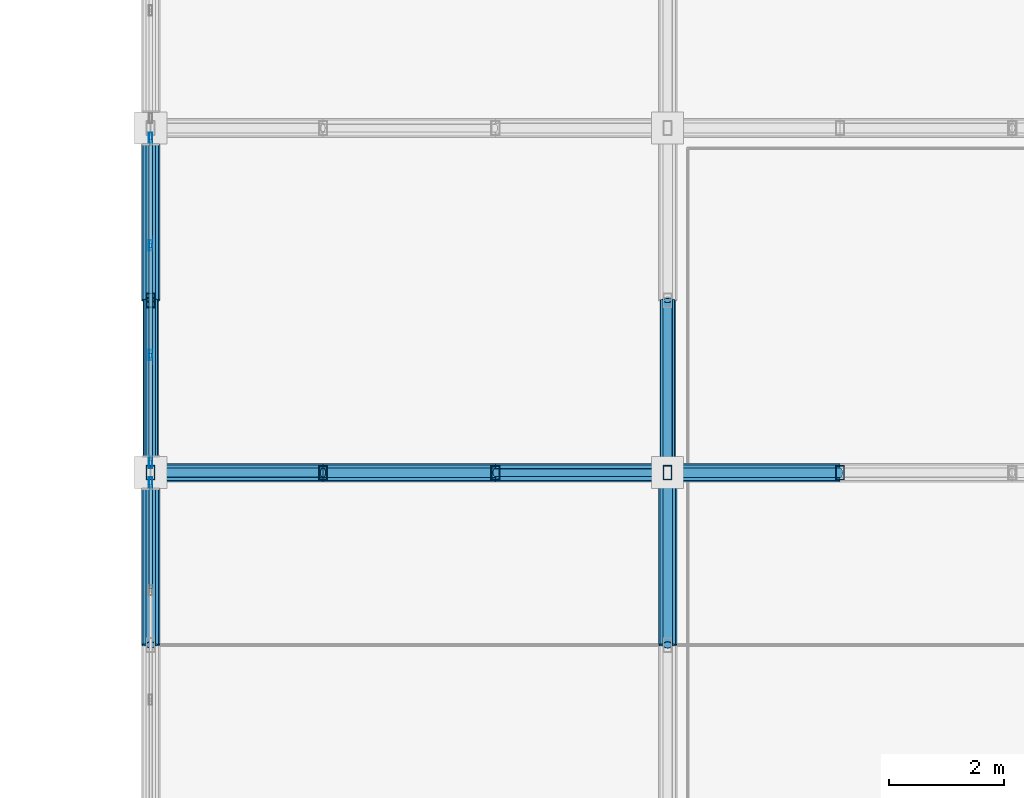
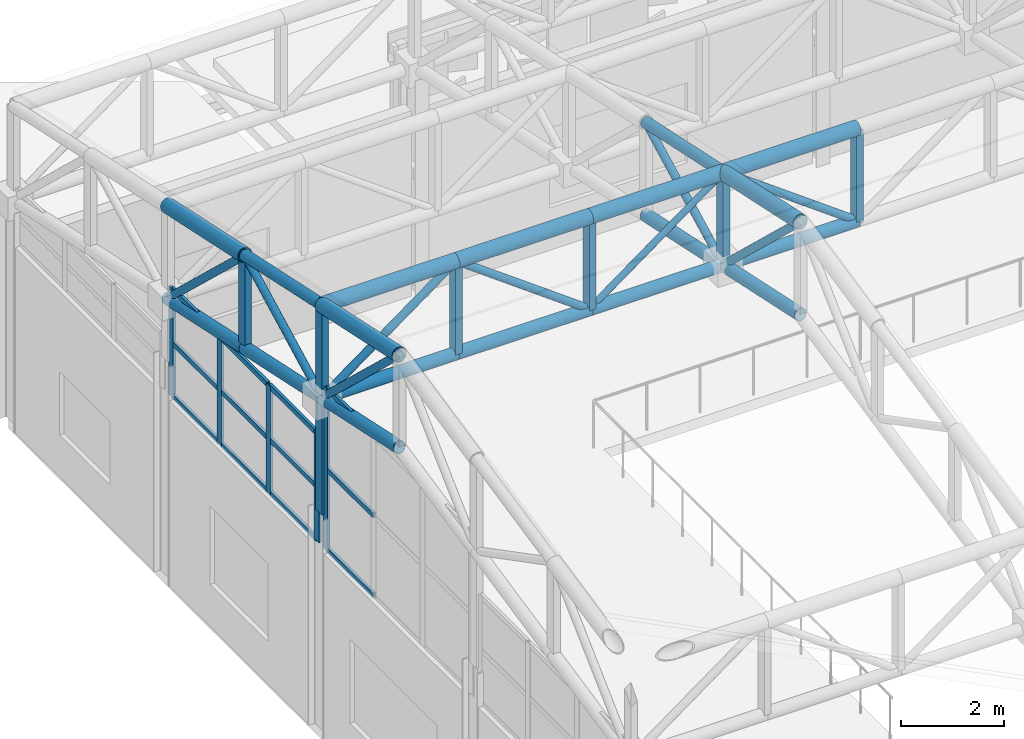
# One storey, part 15 of 112: 50 members, 2 elements without a shape of their own.
"""IFC4 building model written with IfcOpenShell, lengths in metres."""

from ifc_helpers import new_model, si_unit, direction, frame, origin, origin_2d, place, context, subcontext, project, spatial, hollow_rectangle, hollow_circle, extrude, material, material_profile, profile_set, type_object, element, aggregate, save


model = new_model("IFC4")

# Units and contexts
model_context = context("Model", 3, precision=1e-05, world=origin(), true_north=direction((0.0, 1.0)))
body_context = subcontext(model_context, "Body", "Model", "MODEL_VIEW")
ifc_project = project(units=[si_unit("LENGTHUNIT", "METRE"), si_unit("AREAUNIT", "SQUARE_METRE"), si_unit("VOLUMEUNIT", "CUBIC_METRE"), si_unit("PLANEANGLEUNIT", "RADIAN"), si_unit("MASSUNIT", "GRAM", prefix="KILO")], contexts=[model_context])

# Site, building, storey
site_placement = place(None, origin())
site = spatial("IfcSite", under=ifc_project, at=site_placement, CompositionType="ELEMENT")
building_placement = place(site_placement, origin())
building = spatial("IfcBuilding", under=site, at=building_placement, Name="Kaldris Quays Convention Centre", CompositionType="ELEMENT")
storey_placement = place(building_placement, frame((0.0, 0.0, 16.800048828125)))
storey = spatial("IfcBuildingStorey", under=building, at=storey_placement, Name="L03", CompositionType="ELEMENT", Elevation=16.800048828125)

# Curtain wall, member
ifc_material_1 = material(Name="Anodized aluminium AW-6060 and triple glazing", Category="aluminium")
curtain_wall_type = type_object("IfcCurtainWallType", Name="UNITISED CURTAIN WALL CW05", PredefinedType="NOTDEFINED", material=ifc_material_1)
curtain_wall_1_placement = place(storey_placement, origin())
curtain_wall_1 = element("IfcCurtainWall", 1, at=curtain_wall_1_placement, inside=storey, type_object=curtain_wall_type, Name="L03 Unitised Curtain Wall CW05 261", PredefinedType="NOTDEFINED")
ifc_material_2 = material(Name="Anodized aluminium AW-6060", Category="aluminium")
ifc_material_profile_1 = material_profile(ifc_material_2, hollow_rectangle(XDim=0.06005859375, YDim=0.179931640625, WallThickness=0.0048828125, at=origin_2d()), Name="RHS 180x60x5")
ifc_profile_set_1 = profile_set([ifc_material_profile_1], Name="Anodized aluminium AW-6060")
member_type_1 = type_object("IfcMemberType", Name="CURTAIN MULLION CWM2", PredefinedType="MULLION", material=ifc_profile_set_1)
member_1_placement = place(storey_placement, frame((20.0, 33.830078125, 4.39501953125), z_axis=(0.0, 0.0, 1.0), x_axis=(-1.0, 0.0, 0.0)))
member_1 = element("IfcMember", 2, at=member_1_placement, type_object=member_type_1, Name="CW05 mullion 4", PredefinedType="MULLION", context=body_context, shape_type="SweptSolid", body=[
    extrude(hollow_rectangle(XDim=0.06005859375, YDim=0.179931640625, WallThickness=0.0048828125, at=origin_2d()), origin(), (0.0, 0.0, 1.0), 3.85498046875),
])

# Curtain wall, members
curtain_wall_2_placement = place(storey_placement, origin())
curtain_wall_2 = element("IfcCurtainWall", 3, at=curtain_wall_2_placement, inside=storey, type_object=curtain_wall_type, Name="L03 Unitised Curtain Wall CW05 262", PredefinedType="NOTDEFINED")
member_2_placement = place(storey_placement, frame((20.0, 34.169921875, 4.39501953125), z_axis=(0.0, 0.0, 1.0), x_axis=(-1.0, 0.0, 0.0)))
member_2 = element("IfcMember", 4, at=member_2_placement, type_object=member_type_1, Name="CW05 mullion 1", PredefinedType="MULLION", context=body_context, shape_type="SweptSolid", body=[
    extrude(hollow_rectangle(XDim=0.06005859375, YDim=0.179931640625, WallThickness=0.0048828125, at=origin_2d()), origin(), (0.0, 0.0, 1.0), 2.574951171875),
])
member_3_placement = place(storey_placement, frame((20.0, 36.046630859375, 4.39501953125), z_axis=(0.0, 0.0, 1.0), x_axis=(-1.0, 0.0, 0.0)))
member_3 = element("IfcMember", 5, at=member_3_placement, type_object=member_type_1, Name="CW05 mullion 2", PredefinedType="MULLION", context=body_context, shape_type="SweptSolid", body=[
    extrude(hollow_rectangle(XDim=0.06005859375, YDim=0.179931640625, WallThickness=0.0048828125, at=origin_2d()), origin(), (0.0, 0.0, 1.0), 2.574951171875),
])
member_4_placement = place(storey_placement, frame((20.0, 37.953369140625, 4.39501953125), z_axis=(0.0, 0.0, 1.0), x_axis=(-1.0, 0.0, 0.0)))
member_4 = element("IfcMember", 6, at=member_4_placement, type_object=member_type_1, Name="CW05 mullion 3", PredefinedType="MULLION", context=body_context, shape_type="SweptSolid", body=[
    extrude(hollow_rectangle(XDim=0.06005859375, YDim=0.179931640625, WallThickness=0.0048828125, at=origin_2d()), origin(), (0.0, 0.0, 1.0), 2.574951171875),
])
member_5_placement = place(storey_placement, frame((20.0, 39.830078125, 4.39501953125), z_axis=(0.0, 0.0, 1.0), x_axis=(-1.0, 0.0, 0.0)))
member_5 = element("IfcMember", 7, at=member_5_placement, type_object=member_type_1, Name="CW05 mullion 4", PredefinedType="MULLION", context=body_context, shape_type="SweptSolid", body=[
    extrude(hollow_rectangle(XDim=0.06005859375, YDim=0.179931640625, WallThickness=0.0048828125, at=origin_2d()), origin(), (0.0, 0.0, 1.0), 2.574951171875),
])

# Member
ifc_material_profile_2 = material_profile(ifc_material_2, hollow_rectangle(XDim=0.06005859375, YDim=0.1201171875, WallThickness=0.00390625, at=origin_2d()), Name="RHS 120x60x4")
ifc_profile_set_2 = profile_set([ifc_material_profile_2], Name="Anodized aluminium AW-6060")
member_type_2 = type_object("IfcMemberType", Name="CURTAIN TRANSOM CWT1", PredefinedType="USERDEFINED", material=ifc_profile_set_2)
member_6_placement = place(storey_placement, frame((20.0, 31.9833984375, 4.425048828125), z_axis=(0.0, 1.0, 0.0), x_axis=(-1.0, 0.0, 0.0)))
member_6 = element("IfcMember", 8, at=member_6_placement, type_object=member_type_2, Name="CW05 transom 3.1", ObjectType="TRANSOM", PredefinedType="USERDEFINED", context=body_context, shape_type="SweptSolid", body=[
    extrude(hollow_rectangle(XDim=0.06005859375, YDim=0.1201171875, WallThickness=0.00390625, at=origin_2d()), origin(), (0.0, 0.0, 1.0), 1.816650390625),
])

member_7_placement = place(storey_placement, frame((20.0, 31.9833984375, 6.322998046875), z_axis=(0.0, 1.0, 0.0), x_axis=(-1.0, 0.0, 0.0)))
member_7 = element("IfcMember", 9, at=member_7_placement, type_object=member_type_2, Name="CW05 transom 3.2", ObjectType="TRANSOM", PredefinedType="USERDEFINED", context=body_context, shape_type="SweptSolid", body=[
    extrude(hollow_rectangle(XDim=0.06005859375, YDim=0.1201171875, WallThickness=0.00390625, at=origin_2d()), origin(), (0.0, 0.0, 1.0), 1.816650390625),
])

member_8_placement = place(storey_placement, frame((20.0, 31.9833984375, 8.219970703125), z_axis=(0.0, 1.0, 0.0), x_axis=(-1.0, 0.0, 0.0)))
member_8 = element("IfcMember", 10, at=member_8_placement, type_object=member_type_2, Name="CW05 transom 3.3", ObjectType="TRANSOM", PredefinedType="USERDEFINED", context=body_context, shape_type="SweptSolid", body=[
    extrude(hollow_rectangle(XDim=0.06005859375, YDim=0.1201171875, WallThickness=0.00390625, at=origin_2d()), origin(), (0.0, 0.0, 1.0), 1.816650390625),
])

aggregate(curtain_wall_1, [member_1, member_6, member_7, member_8])

member_9_placement = place(storey_placement, frame((20.0, 34.199951171875, 4.425048828125), z_axis=(0.0, 1.0, 0.0), x_axis=(-1.0, 0.0, 0.0)))
member_9 = element("IfcMember", 11, at=member_9_placement, type_object=member_type_2, Name="CW05 transom 1.1", ObjectType="TRANSOM", PredefinedType="USERDEFINED", context=body_context, shape_type="SweptSolid", body=[
    extrude(hollow_rectangle(XDim=0.06005859375, YDim=0.1201171875, WallThickness=0.00390625, at=origin_2d()), origin(), (0.0, 0.0, 1.0), 1.816650390625),
])

member_10_placement = place(storey_placement, frame((20.0, 34.199951171875, 5.682861328125), z_axis=(0.0, 1.0, 0.0), x_axis=(-1.0, 0.0, 0.0)))
member_10 = element("IfcMember", 12, at=member_10_placement, type_object=member_type_2, Name="CW05 transom 1.2", ObjectType="TRANSOM", PredefinedType="USERDEFINED", context=body_context, shape_type="SweptSolid", body=[
    extrude(hollow_rectangle(XDim=0.06005859375, YDim=0.1201171875, WallThickness=0.00390625, at=origin_2d()), origin(), (0.0, 0.0, 1.0), 1.816650390625),
])

member_11_placement = place(storey_placement, frame((20.0, 34.199951171875, 6.93994140625), z_axis=(0.0, 1.0, 0.0), x_axis=(-1.0, 0.0, 0.0)))
member_11 = element("IfcMember", 13, at=member_11_placement, type_object=member_type_2, Name="CW05 transom 1.3", ObjectType="TRANSOM", PredefinedType="USERDEFINED", context=body_context, shape_type="SweptSolid", body=[
    extrude(hollow_rectangle(XDim=0.06005859375, YDim=0.1201171875, WallThickness=0.00390625, at=origin_2d()), origin(), (0.0, 0.0, 1.0), 1.816650390625),
])

member_12_placement = place(storey_placement, frame((20.0, 36.07666015625, 4.425048828125), z_axis=(0.0, 1.0, 0.0), x_axis=(-1.0, 0.0, 0.0)))
member_12 = element("IfcMember", 14, at=member_12_placement, type_object=member_type_2, Name="CW05 transom 2.1", ObjectType="TRANSOM", PredefinedType="USERDEFINED", context=body_context, shape_type="SweptSolid", body=[
    extrude(hollow_rectangle(XDim=0.06005859375, YDim=0.1201171875, WallThickness=0.00390625, at=origin_2d()), origin(), (0.0, 0.0, 1.0), 1.8466796875),
])

member_13_placement = place(storey_placement, frame((20.0, 36.07666015625, 5.682861328125), z_axis=(0.0, 1.0, 0.0), x_axis=(-1.0, 0.0, 0.0)))
member_13 = element("IfcMember", 15, at=member_13_placement, type_object=member_type_2, Name="CW05 transom 2.2", ObjectType="TRANSOM", PredefinedType="USERDEFINED", context=body_context, shape_type="SweptSolid", body=[
    extrude(hollow_rectangle(XDim=0.06005859375, YDim=0.1201171875, WallThickness=0.00390625, at=origin_2d()), origin(), (0.0, 0.0, 1.0), 1.8466796875),
])

member_14_placement = place(storey_placement, frame((20.0, 36.07666015625, 6.93994140625), z_axis=(0.0, 1.0, 0.0), x_axis=(-1.0, 0.0, 0.0)))
member_14 = element("IfcMember", 16, at=member_14_placement, type_object=member_type_2, Name="CW05 transom 2.3", ObjectType="TRANSOM", PredefinedType="USERDEFINED", context=body_context, shape_type="SweptSolid", body=[
    extrude(hollow_rectangle(XDim=0.06005859375, YDim=0.1201171875, WallThickness=0.00390625, at=origin_2d()), origin(), (0.0, 0.0, 1.0), 1.8466796875),
])

member_15_placement = place(storey_placement, frame((20.0, 37.9833984375, 4.425048828125), z_axis=(0.0, 1.0, 0.0), x_axis=(-1.0, 0.0, 0.0)))
member_15 = element("IfcMember", 17, at=member_15_placement, type_object=member_type_2, Name="CW05 transom 3.1", ObjectType="TRANSOM", PredefinedType="USERDEFINED", context=body_context, shape_type="SweptSolid", body=[
    extrude(hollow_rectangle(XDim=0.06005859375, YDim=0.1201171875, WallThickness=0.00390625, at=origin_2d()), origin(), (0.0, 0.0, 1.0), 1.816650390625),
])

member_16_placement = place(storey_placement, frame((20.0, 37.9833984375, 5.682861328125), z_axis=(0.0, 1.0, 0.0), x_axis=(-1.0, 0.0, 0.0)))
member_16 = element("IfcMember", 18, at=member_16_placement, type_object=member_type_2, Name="CW05 transom 3.2", ObjectType="TRANSOM", PredefinedType="USERDEFINED", context=body_context, shape_type="SweptSolid", body=[
    extrude(hollow_rectangle(XDim=0.06005859375, YDim=0.1201171875, WallThickness=0.00390625, at=origin_2d()), origin(), (0.0, 0.0, 1.0), 1.816650390625),
])

member_17_placement = place(storey_placement, frame((20.0, 37.9833984375, 6.93994140625), z_axis=(0.0, 1.0, 0.0), x_axis=(-1.0, 0.0, 0.0)))
member_17 = element("IfcMember", 19, at=member_17_placement, type_object=member_type_2, Name="CW05 transom 3.3", ObjectType="TRANSOM", PredefinedType="USERDEFINED", context=body_context, shape_type="SweptSolid", body=[
    extrude(hollow_rectangle(XDim=0.06005859375, YDim=0.1201171875, WallThickness=0.00390625, at=origin_2d()), origin(), (0.0, 0.0, 1.0), 1.816650390625),
])

aggregate(curtain_wall_2, [member_2, member_3, member_4, member_5, member_9, member_10, member_11, member_12, member_13, member_14, member_15, member_16, member_17])

# Members
ifc_material_3 = material(Name="Steel S355J2H", Category="steel")
ifc_material_profile_3 = material_profile(ifc_material_3, hollow_circle(Radius=0.161865234375, WallThickness=0.01611328125, at=origin_2d()), Name="CHS 323.9x16")
ifc_profile_set_3 = profile_set([ifc_material_profile_3], Name="Steel S355J2H")
member_type_3 = type_object("IfcMemberType", Name="STRUCTURAL MEMBER SC03", PredefinedType="CHORD", material=ifc_profile_set_3)
for number, where, z_axis, x_axis, name in (
    (20, (20.0, 34.0, 10.09033203125), (1.0, 0.0, 0.0), (0.0, 1.0, 0.0), "SF-V3 Top Chord X 43"),
    (21, (23.0, 34.0, 10.09033203125), (1.0, 0.0, 0.0), (0.0, 1.0, 0.0), "SF-V3 Top Chord X 44"),
    (22, (26.0, 34.0, 10.09033203125), (1.0, 0.0, 0.0), (0.0, 1.0, 0.0), "SF-V3 Top Chord X 45"),
    (23, (29.0, 34.0, 10.09033203125), (1.0, 0.0, 0.0), (0.0, 1.0, 0.0), "SF-V3 Top Chord X 46"),
):
    element("IfcMember", number, at=place(storey_placement, frame(where, z_axis=z_axis, x_axis=x_axis)), inside=storey, type_object=member_type_3, Name=name, PredefinedType="CHORD", context=body_context, shape_type="SweptSolid", body=[
        extrude(hollow_circle(Radius=0.161865234375, WallThickness=0.01611328125, at=origin_2d()), origin(), (0.0, 0.0, 1.0), 3.0),
    ])
member_18_placement = place(storey_placement, frame((20.0, 31.0, 10.73046875), z_axis=(0.0, 0.977983741211, -0.20868110103), x_axis=(-1.0, 0.0, 0.0)))
element("IfcMember", 24, at=member_18_placement, inside=storey, type_object=member_type_3, Name="SF-V3 Top Chord Y 111", PredefinedType="CHORD", context=body_context, shape_type="SweptSolid", body=[
    extrude(hollow_circle(Radius=0.161865234375, WallThickness=0.01611328125, at=origin_2d()), origin(), (0.0, 0.0, 1.0), 3.067626953125),
])
member_19_placement = place(storey_placement, frame((20.0, 37.0, 9.450439453125), z_axis=(0.0, 0.977999981478, -0.208604976518), x_axis=(-1.0, 0.0, 0.0)))
element("IfcMember", 25, at=member_19_placement, inside=storey, type_object=member_type_3, Name="SF-V3 Top Chord Y 113", PredefinedType="CHORD", context=body_context, shape_type="SweptSolid", body=[
    extrude(hollow_circle(Radius=0.161865234375, WallThickness=0.01611328125, at=origin_2d()), origin(), (0.0, 0.0, 1.0), 3.0673828125),
])
member_20_placement = place(storey_placement, frame((29.0, 31.0, 10.73046875), z_axis=(0.0, 0.977983741211, -0.20868110103), x_axis=(-1.0, 0.0, 0.0)))
element("IfcMember", 26, at=member_20_placement, inside=storey, type_object=member_type_3, Name="SF-V3 Top Chord Y 121", PredefinedType="CHORD", context=body_context, shape_type="SweptSolid", body=[
    extrude(hollow_circle(Radius=0.161865234375, WallThickness=0.01611328125, at=origin_2d()), origin(), (0.0, 0.0, 1.0), 3.067626953125),
])
ifc_material_profile_4 = material_profile(ifc_material_3, hollow_circle(Radius=0.136474609375, WallThickness=0.012451171875, at=origin_2d()), Name="CHS 273x12.5")
ifc_profile_set_4 = profile_set([ifc_material_profile_4], Name="Steel S355J2H")
member_type_4 = type_object("IfcMemberType", Name="STRUCTURAL MEMBER SC04", PredefinedType="CHORD", material=ifc_profile_set_4)
for number, where, z_axis, x_axis, name in (
    (27, (20.0, 34.0, 7.890380859375), (1.0, 0.0, 0.0), (0.0, 1.0, 0.0), "SF-V3 Bottom Chord X 43"),
    (28, (23.0, 34.0, 7.890380859375), (1.0, 0.0, 0.0), (0.0, 1.0, 0.0), "SF-V3 Bottom Chord X 44"),
    (29, (26.0, 34.0, 7.890380859375), (1.0, 0.0, 0.0), (0.0, 1.0, 0.0), "SF-V3 Bottom Chord X 45"),
    (30, (29.0, 34.0, 7.890380859375), (1.0, 0.0, 0.0), (0.0, 1.0, 0.0), "SF-V3 Bottom Chord X 46"),
):
    element("IfcMember", number, at=place(storey_placement, frame(where, z_axis=z_axis, x_axis=x_axis)), inside=storey, type_object=member_type_4, Name=name, PredefinedType="CHORD", context=body_context, shape_type="SweptSolid", body=[
        extrude(hollow_circle(Radius=0.136474609375, WallThickness=0.012451171875, at=origin_2d()), origin(), (0.0, 0.0, 1.0), 3.0),
    ])
member_21_placement = place(storey_placement, frame((20.0, 31.0, 8.530517578125), z_axis=(0.0, 0.977983741211, -0.20868110103), x_axis=(-1.0, 0.0, 0.0)))
element("IfcMember", 31, at=member_21_placement, inside=storey, type_object=member_type_4, Name="SF-V3 Bottom Chord Y 111", PredefinedType="CHORD", context=body_context, shape_type="SweptSolid", body=[
    extrude(hollow_circle(Radius=0.136474609375, WallThickness=0.012451171875, at=origin_2d()), origin(), (0.0, 0.0, 1.0), 3.067626953125),
])
member_22_placement = place(storey_placement, frame((20.0, 34.0, 7.890380859375), z_axis=(0.0, 0.977999981478, -0.208604976518), x_axis=(-1.0, 0.0, 0.0)))
element("IfcMember", 32, at=member_22_placement, inside=storey, type_object=member_type_4, Name="SF-V3 Bottom Chord Y 112", PredefinedType="CHORD", context=body_context, shape_type="SweptSolid", body=[
    extrude(hollow_circle(Radius=0.136474609375, WallThickness=0.012451171875, at=origin_2d()), origin(), (0.0, 0.0, 1.0), 3.0673828125),
])
for number, where, z_axis, x_axis, name in (
    (33, (20.0, 37.0, 7.25048828125), (0.0, 0.977983741211, -0.20868110103), (-1.0, 0.0, 0.0), "SF-V3 Bottom Chord Y 113"),
    (34, (29.0, 31.0, 8.530517578125), (0.0, 0.977983741211, -0.20868110103), (-1.0, 0.0, 0.0), "SF-V3 Bottom Chord Y 121"),
):
    element("IfcMember", number, at=place(storey_placement, frame(where, z_axis=z_axis, x_axis=x_axis)), inside=storey, type_object=member_type_4, Name=name, PredefinedType="CHORD", context=body_context, shape_type="SweptSolid", body=[
        extrude(hollow_circle(Radius=0.136474609375, WallThickness=0.012451171875, at=origin_2d()), origin(), (0.0, 0.0, 1.0), 3.067626953125),
    ])
member_23_placement = place(storey_placement, frame((29.0, 34.0, 7.890380859375), z_axis=(0.0, 0.977999981478, -0.208604976518), x_axis=(-1.0, 0.0, 0.0)))
element("IfcMember", 35, at=member_23_placement, inside=storey, type_object=member_type_4, Name="SF-V3 Bottom Chord Y 122", PredefinedType="CHORD", context=body_context, shape_type="SweptSolid", body=[
    extrude(hollow_circle(Radius=0.136474609375, WallThickness=0.012451171875, at=origin_2d()), origin(), (0.0, 0.0, 1.0), 3.0673828125),
])
ifc_material_profile_5 = material_profile(ifc_material_3, hollow_circle(Radius=0.122314453125, WallThickness=0.010009765625, at=origin_2d()), Name="CHS 244.5x10")
ifc_profile_set_5 = profile_set([ifc_material_profile_5], Name="Steel S355J2H")
member_type_5 = type_object("IfcMemberType", Name="STRUCTURAL MEMBER SC05", PredefinedType="CHORD", material=ifc_profile_set_5)
for number, where, z_axis, x_axis, name in (
    (36, (20.0, 34.0, 10.09033203125), (0.0, 0.977999981478, -0.208604976518), (-1.0, 0.0, 0.0), "SF-V3 Top Chord Y 112"),
    (37, (29.0, 34.0, 10.09033203125), (0.0, 0.977999981478, -0.208604976518), (-1.0, 0.0, 0.0), "SF-V3 Top Chord Y 122"),
):
    element("IfcMember", number, at=place(storey_placement, frame(where, z_axis=z_axis, x_axis=x_axis)), inside=storey, type_object=member_type_5, Name=name, PredefinedType="CHORD", context=body_context, shape_type="SweptSolid", body=[
        extrude(hollow_circle(Radius=0.122314453125, WallThickness=0.010009765625, at=origin_2d()), origin(), (0.0, 0.0, 1.0), 3.0673828125),
    ])
ifc_material_profile_6 = material_profile(ifc_material_3, hollow_circle(Radius=0.084228515625, WallThickness=0.008056640625, at=origin_2d()), Name="CHS 168.3x8")
ifc_profile_set_6 = profile_set([ifc_material_profile_6], Name="Steel S355J2H")
member_type_6 = type_object("IfcMemberType", Name="STRUCTURAL MEMBER SWB2", PredefinedType="BRACE", material=ifc_profile_set_6)
for number, where, z_axis, x_axis, name in (
    (38, (20.0, 34.0, 7.890380859375), (0.80641125493, 0.0, 0.591355128432), (0.0, 1.0, 0.0), "SF-V3 Web Diagonal X 43"),
    (39, (26.0, 34.0, 7.890380859375), (-0.80641125493, 0.0, 0.591355128432), (0.0, -1.0, 0.0), "SF-V3 Web Diagonal X 44"),
    (40, (32.0, 34.0, 7.890380859375), (-0.80641125493, 0.0, 0.591355128432), (0.0, -1.0, 0.0), "SF-V3 Web Diagonal X 46"),
):
    element("IfcMember", number, at=place(storey_placement, frame(where, z_axis=z_axis, x_axis=x_axis)), inside=storey, type_object=member_type_6, Name=name, PredefinedType="BRACE", context=body_context, shape_type="SweptSolid", body=[
        extrude(hollow_circle(Radius=0.084228515625, WallThickness=0.008056640625, at=origin_2d()), origin(), (0.0, 0.0, 1.0), 3.72021484375),
    ])
member_24_placement = place(storey_placement, frame((20.0, 34.0, 7.890380859375), z_axis=(0.0, -0.726196449967, 0.687487247922), x_axis=(1.0, 0.0, 0.0)))
element("IfcMember", 41, at=member_24_placement, inside=storey, type_object=member_type_6, Name="SF-V3 Web Diagonal Y 111", PredefinedType="BRACE", context=body_context, shape_type="SweptSolid", body=[
    extrude(hollow_circle(Radius=0.084228515625, WallThickness=0.008056640625, at=origin_2d()), origin(), (0.0, 0.0, 1.0), 4.131103515625),
])
member_25_placement = place(storey_placement, frame((20.0, 34.0, 7.890380859375), z_axis=(0.0, 0.887209708306, 0.461366376634), x_axis=(-1.0, 0.0, 0.0)))
element("IfcMember", 42, at=member_25_placement, inside=storey, type_object=member_type_6, Name="SF-V3 Web Diagonal Y 112", PredefinedType="BRACE", context=body_context, shape_type="SweptSolid", body=[
    extrude(hollow_circle(Radius=0.084228515625, WallThickness=0.008056640625, at=origin_2d()), origin(), (0.0, 0.0, 1.0), 3.38134765625),
])
for number, where, z_axis, x_axis, name in (
    (43, (20.0, 40.0, 6.6103515625), (0.0, -0.726196449967, 0.687487247922), (1.0, 0.0, 0.0), "SF-V3 Web Diagonal Y 113"),
    (44, (29.0, 34.0, 7.890380859375), (0.0, -0.726196449967, 0.687487247922), (1.0, 0.0, 0.0), "SF-V3 Web Diagonal Y 121"),
):
    element("IfcMember", number, at=place(storey_placement, frame(where, z_axis=z_axis, x_axis=x_axis)), inside=storey, type_object=member_type_6, Name=name, PredefinedType="BRACE", context=body_context, shape_type="SweptSolid", body=[
        extrude(hollow_circle(Radius=0.084228515625, WallThickness=0.008056640625, at=origin_2d()), origin(), (0.0, 0.0, 1.0), 4.131103515625),
    ])
member_26_placement = place(storey_placement, frame((29.0, 34.0, 7.890380859375), z_axis=(0.0, 0.887209708306, 0.461366376634), x_axis=(-1.0, 0.0, 0.0)))
element("IfcMember", 45, at=member_26_placement, inside=storey, type_object=member_type_6, Name="SF-V3 Web Diagonal Y 122", PredefinedType="BRACE", context=body_context, shape_type="SweptSolid", body=[
    extrude(hollow_circle(Radius=0.084228515625, WallThickness=0.008056640625, at=origin_2d()), origin(), (0.0, 0.0, 1.0), 3.38134765625),
])
ifc_material_profile_7 = material_profile(ifc_material_3, hollow_circle(Radius=0.06982421875, WallThickness=0.00634765625, at=origin_2d()), Name="CHS 139.7x6.3")
ifc_profile_set_7 = profile_set([ifc_material_profile_7], Name="Steel S355J2H")
member_type_7 = type_object("IfcMemberType", Name="STRUCTURAL MEMBER SWB4", PredefinedType="BRACE", material=ifc_profile_set_7)
member_27_placement = place(storey_placement, frame((26.0, 34.0, 7.890380859375), z_axis=(0.80641125493, 0.0, 0.591355128432), x_axis=(0.0, 1.0, 0.0)))
element("IfcMember", 46, at=member_27_placement, inside=storey, type_object=member_type_7, Name="SF-V3 Web Diagonal X 45", PredefinedType="BRACE", context=body_context, shape_type="SweptSolid", body=[
    extrude(hollow_circle(Radius=0.06982421875, WallThickness=0.00634765625, at=origin_2d()), origin(), (0.0, 0.0, 1.0), 3.72021484375),
])
ifc_material_profile_8 = material_profile(ifc_material_3, hollow_rectangle(XDim=0.14990234375, YDim=0.25, WallThickness=0.010009765625, at=origin_2d()), Name="RHS 250x150x10")
ifc_profile_set_8 = profile_set([ifc_material_profile_8], Name="Steel S355J2H")
member_type_8 = type_object("IfcMemberType", Name="STRUCTURAL MEMBER TTV1", PredefinedType="POST", material=ifc_profile_set_8)
member_28_placement = place(storey_placement, frame((20.0, 34.0, 5.19384765625), z_axis=(0.0, 0.0, 1.0), x_axis=(1.0, 0.0, 0.0)))
element("IfcMember", 47, at=member_28_placement, inside=storey, type_object=member_type_8, Name="SF-V3 Space-Frame Post 7", PredefinedType="POST", context=body_context, shape_type="SweptSolid", body=[
    extrude(hollow_rectangle(XDim=0.14990234375, YDim=0.25, WallThickness=0.010009765625, at=origin_2d()), origin(), (0.0, 0.0, 1.0), 4.896484375),
])
for number, where, z_axis, x_axis, name in (
    (48, (20.0, 37.0, 7.25048828125), (0.0, 0.0, 1.0), (1.0, 0.0, 0.0), "SF-V3 Space-Frame Post 8"),
    (49, (23.0, 34.0, 7.890380859375), (0.0, 0.0, 1.0), (1.0, 0.0, 0.0), "SF-V3 Space-Frame Post 14"),
    (50, (26.0, 34.0, 7.890380859375), (0.0, 0.0, 1.0), (1.0, 0.0, 0.0), "SF-V3 Space-Frame Post 19"),
    (51, (29.0, 34.0, 7.890380859375), (0.0, 0.0, 1.0), (1.0, 0.0, 0.0), "SF-V3 Space-Frame Post 28"),
    (52, (32.0, 34.0, 7.890380859375), (0.0, 0.0, 1.0), (1.0, 0.0, 0.0), "SF-V3 Space-Frame Post 35"),
):
    element("IfcMember", number, at=place(storey_placement, frame(where, z_axis=z_axis, x_axis=x_axis)), inside=storey, type_object=member_type_8, Name=name, PredefinedType="POST", context=body_context, shape_type="SweptSolid", body=[
        extrude(hollow_rectangle(XDim=0.14990234375, YDim=0.25, WallThickness=0.010009765625, at=origin_2d()), origin(), (0.0, 0.0, 1.0), 2.199951171875),
    ])

save(model, "model.ifc")
